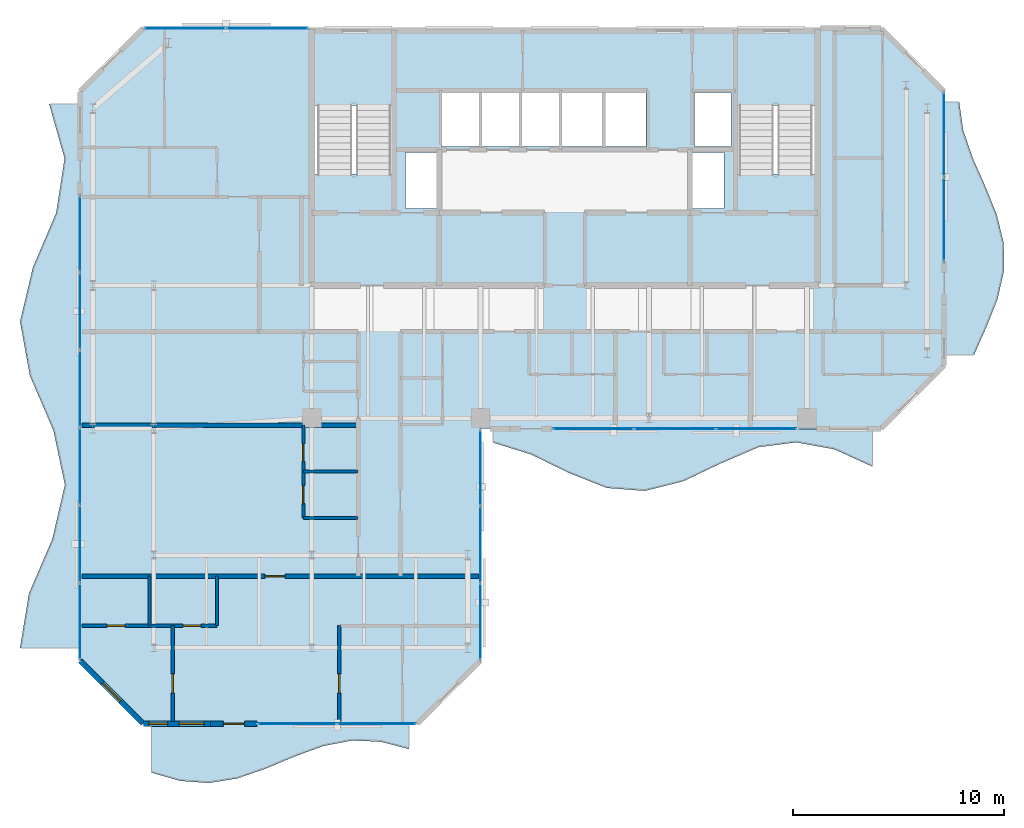
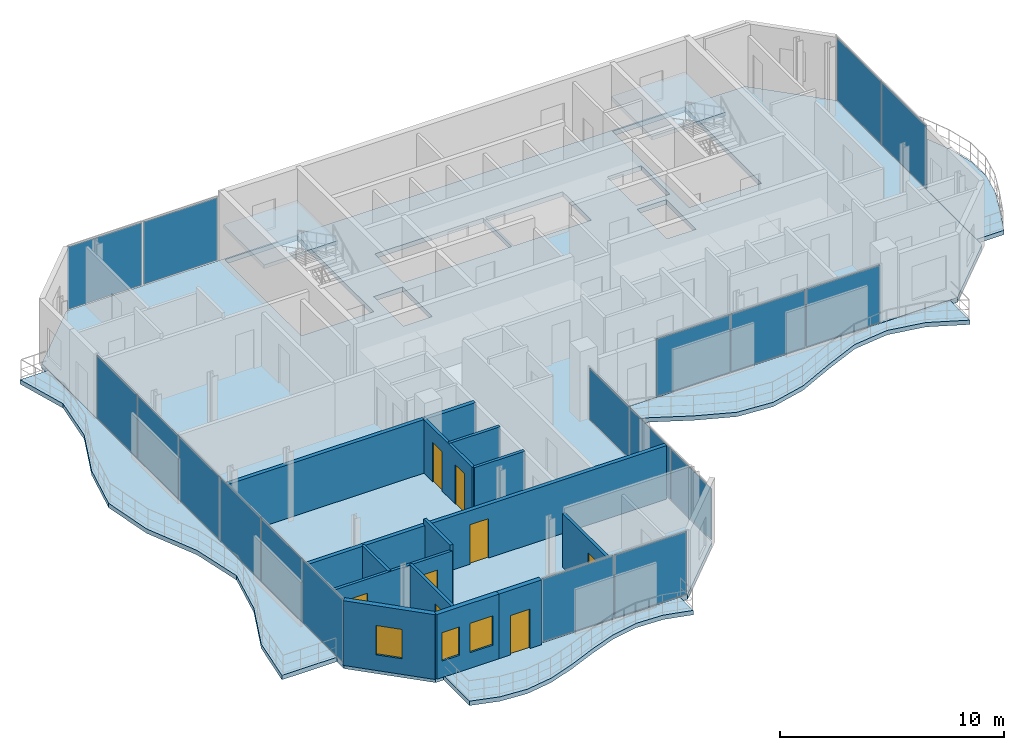
# One storey, part 17 of 22: 18 plates, 13 walls, 8 doors, 7 slabs, 3 windows, 11 openings, 8 elements without a shape of their own.
"""IFC4 building model written with IfcOpenShell, lengths in metres."""

from ifc_helpers import new_model, si_unit, direction, frame, frame_2d, origin, origin_2d, place, context, subcontext, project, spatial, polyline, rectangle, outline, extrude, material, layer, layer_set, type_object, element, fill, aggregate, save


model = new_model("IFC4")

# Units and contexts
model_context = context("Model", 3, precision=1e-05, world=origin(), true_north=direction((0.0, 1.0)))
body_context = subcontext(model_context, "Body", "Model", "MODEL_VIEW")
ifc_project = project(units=[si_unit("LENGTHUNIT", "METRE"), si_unit("AREAUNIT", "SQUARE_METRE"), si_unit("VOLUMEUNIT", "CUBIC_METRE"), si_unit("PLANEANGLEUNIT", "RADIAN"), si_unit("MASSUNIT", "GRAM", prefix="KILO")], contexts=[model_context])

# Site, building, storey
site_placement = place(None, origin())
site = spatial("IfcSite", under=ifc_project, at=site_placement, CompositionType="ELEMENT")
building_placement = place(site_placement, origin())
building = spatial("IfcBuilding", under=site, at=building_placement, Name="Catumbela Crestline Tower", CompositionType="ELEMENT")
storey_placement = place(building_placement, frame((0.0, 0.0, 229.8)))
storey = spatial("IfcBuildingStorey", under=building, at=storey_placement, Name="L59", CompositionType="ELEMENT", Elevation=229.8)

# Curtain wall, plates
ifc_material_1 = material(Name="Aluminium alloy AW-6060-T66", Category="aluminium")
ifc_layer_1 = layer(ifc_material_1, 0.18, Name="Aluminium alloy AW-6060-T66")
ifc_layer_set_1 = layer_set([ifc_layer_1], Name="Aluminium alloy AW-6060-T66")
curtain_wall_type = type_object("IfcCurtainWallType", Name="CWU-Z4", PredefinedType="USERDEFINED", material=ifc_layer_set_1)
curtain_wall_1_placement = place(storey_placement, origin())
curtain_wall_1 = element("IfcCurtainWall", 1, at=curtain_wall_1_placement, inside=storey, type_object=curtain_wall_type, Name="L59 Unitised Curtain Wall CW-L59-E0S2", ObjectType="UNITISED", PredefinedType="USERDEFINED")
ifc_material_2 = material(Name="Low-E laminated solar-control double glazing", Category="glass")
ifc_layer_2 = layer(ifc_material_2, 0.036, Name="Low-E laminated solar-control double glazing")
ifc_layer_set_2 = layer_set([ifc_layer_2], Name="Low-E laminated solar-control double glazing")
plate_type = type_object("IfcPlateType", Name="PNL-GLZ-Z4", PredefinedType="CURTAIN_PANEL", material=ifc_layer_set_2)
plate_1_placement = place(storey_placement, frame((15.3162, 10.0, 0.06), z_axis=(0.0, 0.0, 1.0), x_axis=(1.0, 0.0, 0.0)))
plate_1 = element("IfcPlate", 2, at=plate_1_placement, type_object=plate_type, Name="CWU-Z4 panel 1.1", PredefinedType="CURTAIN_PANEL", context=body_context, shape_type="SweptSolid", body=[
    extrude(rectangle(XDim=3.7025, YDim=0.034, at=origin_2d()), origin(), (0.0, 0.0, 1.0), 3.41),
])
plate_2_placement = place(storey_placement, frame((19.0837, 10.0, 0.06), z_axis=(0.0, 0.0, 1.0), x_axis=(1.0, 0.0, 0.0)))
plate_2 = element("IfcPlate", 3, at=plate_2_placement, type_object=plate_type, Name="CWU-Z4 panel 2.1", PredefinedType="CURTAIN_PANEL", context=body_context, shape_type="SweptSolid", body=[
    extrude(rectangle(XDim=3.7025, YDim=0.034, at=origin_2d()), origin(), (0.0, 0.0, 1.0), 3.41),
])
aggregate(curtain_wall_1, [plate_1, plate_2])

curtain_wall_2_placement = place(storey_placement, origin())
curtain_wall_2 = element("IfcCurtainWall", 4, at=curtain_wall_2_placement, inside=storey, type_object=curtain_wall_type, Name="L59 Unitised Curtain Wall CW-L59-E2S1", ObjectType="UNITISED", PredefinedType="USERDEFINED")
plate_3_placement = place(storey_placement, frame((24.0, 14.8496, 0.06), z_axis=(0.0, 0.0, 1.0), x_axis=(0.0, 1.0, 0.0)))
plate_3 = element("IfcPlate", 5, at=plate_3_placement, type_object=plate_type, Name="CWU-Z4 panel 1.1", PredefinedType="CURTAIN_PANEL", context=body_context, shape_type="SweptSolid", body=[
    extrude(rectangle(XDim=3.5692, YDim=0.034, at=origin_2d()), origin(), (0.0, 0.0, 1.0), 2.8),
])
plate_4_placement = place(storey_placement, frame((24.0, 18.5, 0.06), z_axis=(0.0, 0.0, 1.0), x_axis=(0.0, 1.0, 0.0)))
plate_4 = element("IfcPlate", 6, at=plate_4_placement, type_object=plate_type, Name="CWU-Z4 panel 2.1", PredefinedType="CURTAIN_PANEL", context=body_context, shape_type="SweptSolid", body=[
    extrude(rectangle(XDim=3.6017, YDim=0.034, at=origin_2d()), origin(), (0.0, 0.0, 1.0), 2.8),
])
plate_5_placement = place(storey_placement, frame((24.0, 22.1504, 0.06), z_axis=(0.0, 0.0, 1.0), x_axis=(0.0, 1.0, 0.0)))
plate_5 = element("IfcPlate", 7, at=plate_5_placement, type_object=plate_type, Name="CWU-Z4 panel 3.1", PredefinedType="CURTAIN_PANEL", context=body_context, shape_type="SweptSolid", body=[
    extrude(rectangle(XDim=3.5692, YDim=0.034, at=origin_2d()), origin(), (0.0, 0.0, 1.0), 2.8),
])
aggregate(curtain_wall_2, [plate_3, plate_4, plate_5])

curtain_wall_3_placement = place(storey_placement, origin())
curtain_wall_3 = element("IfcCurtainWall", 8, at=curtain_wall_3_placement, inside=storey, type_object=curtain_wall_type, Name="L59 Unitised Curtain Wall CW-L59-E3S2", ObjectType="UNITISED", PredefinedType="USERDEFINED")
plate_6_placement = place(storey_placement, frame((29.3579, 24.0, 0.06), z_axis=(0.0, 0.0, 1.0), x_axis=(1.0, 0.0, 0.0)))
plate_6 = element("IfcPlate", 9, at=plate_6_placement, type_object=plate_type, Name="CWU-Z4 panel 1.1", PredefinedType="CURTAIN_PANEL", context=body_context, shape_type="SweptSolid", body=[
    extrude(rectangle(XDim=3.7858, YDim=0.034, at=origin_2d()), origin(), (0.0, 0.0, 1.0), 3.12),
])
plate_7_placement = place(storey_placement, frame((33.225, 24.0, 0.06), z_axis=(0.0, 0.0, 1.0), x_axis=(1.0, 0.0, 0.0)))
plate_7 = element("IfcPlate", 10, at=plate_7_placement, type_object=plate_type, Name="CWU-Z4 panel 2.1", PredefinedType="CURTAIN_PANEL", context=body_context, shape_type="SweptSolid", body=[
    extrude(rectangle(XDim=3.8183, YDim=0.034, at=origin_2d()), origin(), (0.0, 0.0, 1.0), 3.12),
])
plate_8_placement = place(storey_placement, frame((37.0921, 24.0, 0.06), z_axis=(0.0, 0.0, 1.0), x_axis=(1.0, 0.0, 0.0)))
plate_8 = element("IfcPlate", 11, at=plate_8_placement, type_object=plate_type, Name="CWU-Z4 panel 3.1", PredefinedType="CURTAIN_PANEL", context=body_context, shape_type="SweptSolid", body=[
    extrude(rectangle(XDim=3.7858, YDim=0.034, at=origin_2d()), origin(), (0.0, 0.0, 1.0), 3.12),
])
aggregate(curtain_wall_3, [plate_6, plate_7, plate_8])

curtain_wall_4_placement = place(storey_placement, origin())
curtain_wall_4 = element("IfcCurtainWall", 12, at=curtain_wall_4_placement, inside=storey, type_object=curtain_wall_type, Name="L59 Unitised Curtain Wall CW-L59-E5S2", ObjectType="UNITISED", PredefinedType="USERDEFINED")
plate_9_placement = place(storey_placement, frame((46.0, 33.9412, 0.06), z_axis=(0.0, 0.0, 1.0), x_axis=(0.0, 1.0, 0.0)))
plate_9 = element("IfcPlate", 13, at=plate_9_placement, type_object=plate_type, Name="CWU-Z4 panel 1.1", PredefinedType="CURTAIN_PANEL", context=body_context, shape_type="SweptSolid", body=[
    extrude(rectangle(XDim=3.9525, YDim=0.034, at=origin_2d()), origin(), (0.0, 0.0, 1.0), 3.41),
])
plate_10_placement = place(storey_placement, frame((46.0, 37.9588, 0.06), z_axis=(0.0, 0.0, 1.0), x_axis=(0.0, 1.0, 0.0)))
plate_10 = element("IfcPlate", 14, at=plate_10_placement, type_object=plate_type, Name="CWU-Z4 panel 2.1", PredefinedType="CURTAIN_PANEL", context=body_context, shape_type="SweptSolid", body=[
    extrude(rectangle(XDim=3.9525, YDim=0.034, at=origin_2d()), origin(), (0.0, 0.0, 1.0), 3.41),
])
aggregate(curtain_wall_4, [plate_9, plate_10])

curtain_wall_5_placement = place(storey_placement, origin())
curtain_wall_5 = element("IfcCurtainWall", 15, at=curtain_wall_5_placement, inside=storey, type_object=curtain_wall_type, Name="L59 Unitised Curtain Wall CW-L59-E7S2", ObjectType="UNITISED", PredefinedType="USERDEFINED")
plate_11_placement = place(storey_placement, frame((13.8788, 43.0, 0.06), z_axis=(0.0, 0.0, 1.0), x_axis=(-1.0, 0.0, 0.0)))
plate_11 = element("IfcPlate", 16, at=plate_11_placement, type_object=plate_type, Name="CWU-Z4 panel 1.1", PredefinedType="CURTAIN_PANEL", context=body_context, shape_type="SweptSolid", body=[
    extrude(rectangle(XDim=3.8325, YDim=0.034, at=origin_2d()), origin(), (0.0, 0.0, 1.0), 3.41),
])
plate_12_placement = place(storey_placement, frame((9.9812, 43.0, 0.06), z_axis=(0.0, 0.0, 1.0), x_axis=(-1.0, 0.0, 0.0)))
plate_12 = element("IfcPlate", 17, at=plate_12_placement, type_object=plate_type, Name="CWU-Z4 panel 2.1", PredefinedType="CURTAIN_PANEL", context=body_context, shape_type="SweptSolid", body=[
    extrude(rectangle(XDim=3.8325, YDim=0.034, at=origin_2d()), origin(), (0.0, 0.0, 1.0), 3.41),
])
aggregate(curtain_wall_5, [plate_11, plate_12])

curtain_wall_6_placement = place(storey_placement, origin())
curtain_wall_6 = element("IfcCurtainWall", 18, at=curtain_wall_6_placement, inside=storey, type_object=curtain_wall_type, Name="L59 Unitised Curtain Wall CW-L59-E9S2", ObjectType="UNITISED", PredefinedType="USERDEFINED")
plate_13_placement = place(storey_placement, frame((5.0, 33.2421, 0.06), z_axis=(0.0, 0.0, 1.0), x_axis=(0.0, -1.0, 0.0)))
plate_13 = element("IfcPlate", 19, at=plate_13_placement, type_object=plate_type, Name="CWU-Z4 panel 1.1", PredefinedType="CURTAIN_PANEL", context=body_context, shape_type="SweptSolid", body=[
    extrude(rectangle(XDim=3.5858, YDim=0.034, at=origin_2d()), origin(), (0.0, 0.0, 1.0), 3.41),
])
plate_14_placement = place(storey_placement, frame((5.0, 29.575, 0.06), z_axis=(0.0, 0.0, 1.0), x_axis=(0.0, -1.0, 0.0)))
plate_14 = element("IfcPlate", 20, at=plate_14_placement, type_object=plate_type, Name="CWU-Z4 panel 2.1", PredefinedType="CURTAIN_PANEL", context=body_context, shape_type="SweptSolid", body=[
    extrude(rectangle(XDim=3.6183, YDim=0.034, at=origin_2d()), origin(), (0.0, 0.0, 1.0), 3.41),
])
plate_15_placement = place(storey_placement, frame((5.0, 25.8917, 0.06), z_axis=(0.0, 0.0, 1.0), x_axis=(0.0, -1.0, 0.0)))
plate_15 = element("IfcPlate", 21, at=plate_15_placement, type_object=plate_type, Name="CWU-Z4 panel 3.1", PredefinedType="CURTAIN_PANEL", context=body_context, shape_type="SweptSolid", body=[
    extrude(rectangle(XDim=3.6183, YDim=0.034, at=origin_2d()), origin(), (0.0, 0.0, 1.0), 3.41),
])
plate_16_placement = place(storey_placement, frame((5.0, 22.2083, 0.06), z_axis=(0.0, 0.0, 1.0), x_axis=(0.0, -1.0, 0.0)))
plate_16 = element("IfcPlate", 22, at=plate_16_placement, type_object=plate_type, Name="CWU-Z4 panel 4.1", PredefinedType="CURTAIN_PANEL", context=body_context, shape_type="SweptSolid", body=[
    extrude(rectangle(XDim=3.6183, YDim=0.034, at=origin_2d()), origin(), (0.0, 0.0, 1.0), 3.41),
])
plate_17_placement = place(storey_placement, frame((5.0, 18.525, 0.06), z_axis=(0.0, 0.0, 1.0), x_axis=(0.0, -1.0, 0.0)))
plate_17 = element("IfcPlate", 23, at=plate_17_placement, type_object=plate_type, Name="CWU-Z4 panel 5.1", PredefinedType="CURTAIN_PANEL", context=body_context, shape_type="SweptSolid", body=[
    extrude(rectangle(XDim=3.6183, YDim=0.034, at=origin_2d()), origin(), (0.0, 0.0, 1.0), 3.41),
])
plate_18_placement = place(storey_placement, frame((5.0, 14.8579, 0.06), z_axis=(0.0, 0.0, 1.0), x_axis=(0.0, -1.0, 0.0)))
plate_18 = element("IfcPlate", 24, at=plate_18_placement, type_object=plate_type, Name="CWU-Z4 panel 6.1", PredefinedType="CURTAIN_PANEL", context=body_context, shape_type="SweptSolid", body=[
    extrude(rectangle(XDim=3.5858, YDim=0.034, at=origin_2d()), origin(), (0.0, 0.0, 1.0), 3.41),
])
aggregate(curtain_wall_6, [plate_13, plate_14, plate_15, plate_16, plate_17, plate_18])

# Stair, slab
ifc_material_3 = material(Name="Concrete C45/55", Category="concrete")
stair_type = type_object("IfcStairType", Name="ST-DLG", PredefinedType="HALF_TURN_STAIR", material=ifc_material_3)
stair_1_placement = place(storey_placement, origin())
stair_1 = element("IfcStair", 25, at=stair_1_placement, inside=storey, type_object=stair_type, Name="L59 West Core Pressurised Exit Stair ST-01", PredefinedType="HALF_TURN_STAIR")
ifc_layer_3 = layer(ifc_material_3, 0.2, Name="Concrete C45/55")
ifc_layer_set_3 = layer_set([ifc_layer_3], Name="Concrete C45/55")
slab_type_1 = type_object("IfcSlabType", Name="SL-LND", PredefinedType="LANDING", material=ifc_layer_set_3)
slab_1_placement = place(storey_placement, frame((0.0, 0.0, 1.7)))
slab_1 = element("IfcSlab", 26, at=slab_1_placement, type_object=slab_type_1, Name="ST-01 landing 1", PredefinedType="LANDING", context=body_context, shape_type="SweptSolid", body=[
    extrude(outline(polyline([(19.91, 39.33), (19.91, 42.96), (16.09, 42.96), (16.09, 39.33), (19.91, 39.33)])), origin(), (0.0, 0.0, 1.0), 0.2),
])
aggregate(stair_1, [slab_1])

stair_2_placement = place(storey_placement, origin())
stair_2 = element("IfcStair", 27, at=stair_2_placement, inside=storey, type_object=stair_type, Name="L59 East Core Pressurised Exit Stair ST-02", PredefinedType="HALF_TURN_STAIR")
slab_2_placement = place(storey_placement, frame((0.0, 0.0, 1.7)))
slab_2 = element("IfcSlab", 28, at=slab_2_placement, type_object=slab_type_1, Name="ST-02 landing 1", PredefinedType="LANDING", context=body_context, shape_type="SweptSolid", body=[
    extrude(outline(polyline([(39.91, 39.33), (39.91, 42.96), (36.09, 42.96), (36.09, 39.33), (39.91, 39.33)])), origin(), (0.0, 0.0, 1.0), 0.2),
])
aggregate(stair_2, [slab_2])

# Slabs
ifc_layer_4 = layer(ifc_material_3, 0.26, Name="Concrete C45/55")
ifc_layer_set_4 = layer_set([ifc_layer_4], Name="Concrete C45/55")
slab_type_2 = type_object("IfcSlabType", Name="SL-260", PredefinedType="FLOOR", material=ifc_layer_set_4)
slab_3_placement = place(storey_placement, frame((0.0, 0.0, -0.26)))
element("IfcSlab", 29, at=slab_3_placement, inside=storey, type_object=slab_type_2, Name="L59 Structural Floor Slab", PredefinedType="FLOOR", context=body_context, shape_type="SweptSolid", body=[
    extrude(outline(polyline([(8.0, 10.0), (21.0, 10.0), (24.0, 13.0), (24.0, 24.0), (43.0, 24.0), (46.0, 27.0), (46.0, 40.0), (43.0, 43.0), (8.0, 43.0), (5.0, 40.0), (5.0, 13.0), (8.0, 10.0)]), holes=[polyline([(16.13, 36.08), (19.87, 36.08), (19.87, 42.92), (16.13, 42.92), (16.13, 36.08)]), polyline([(36.13, 36.08), (39.87, 36.08), (39.87, 42.92), (36.13, 42.92), (36.13, 36.08)]), polyline([(22.15, 37.4), (27.75, 37.4), (27.75, 39.95), (22.15, 39.95), (22.15, 37.4)]), polyline([(27.85, 37.4), (31.85, 37.4), (31.85, 39.95), (27.85, 39.95), (27.85, 37.4)]), polyline([(20.45, 34.45), (21.95, 34.45), (21.95, 37.1), (20.45, 37.1), (20.45, 34.45)]), polyline([(34.05, 34.45), (35.55, 34.45), (35.55, 37.1), (34.05, 37.1), (34.05, 34.45)]), polyline([(34.15, 37.4), (35.9, 37.4), (35.9, 39.95), (34.15, 39.95), (34.15, 37.4)])]), origin(), (0.0, 0.0, 1.0), 0.26),
])
ifc_layer_5 = layer(ifc_material_3, 0.24, Name="Concrete C45/55")
ifc_layer_set_5 = layer_set([ifc_layer_5], Name="Concrete C45/55")
slab_type_3 = type_object("IfcSlabType", Name="SB-240W", PredefinedType="USERDEFINED", material=ifc_layer_set_5)
slab_4_placement = place(storey_placement, frame((0.0, 0.0, -0.24)))
element("IfcSlab", 30, at=slab_4_placement, inside=storey, type_object=slab_type_3, Name="L59 Cantilevered Wave Balcony Slab SPINE-S", ObjectType="BALCONY", PredefinedType="USERDEFINED", context=body_context, shape_type="SweptSolid", body=[
    extrude(outline(polyline([(24.6, 23.3413), (26.4, 22.7781), (28.2, 21.9016), (30.0, 21.1868), (31.8, 21.05), (33.6, 21.4947), (35.4, 22.3504), (37.2, 23.1246), (39.0, 23.35), (40.8, 23.0215), (42.6, 22.2), (42.6, 23.99), (24.6, 23.99), (24.6, 23.3413)])), origin(), (0.0, 0.0, 1.0), 0.24),
])
slab_5_placement = place(storey_placement, frame((0.0, 0.0, -0.24)))
element("IfcSlab", 31, at=slab_5_placement, inside=storey, type_object=slab_type_3, Name="L59 Cantilevered Wave Balcony Slab SPINE-E", ObjectType="BALCONY", PredefinedType="USERDEFINED", context=body_context, shape_type="SweptSolid", body=[
    extrude(outline(polyline([(46.01, 27.5), (47.4229, 27.5), (48.0165, 28.8333), (48.5443, 30.1667), (48.8459, 31.5), (48.8296, 32.8333), (48.5005, 34.1667), (47.9584, 35.5), (47.3682, 36.8333), (46.9092, 38.1667), (46.721, 39.5), (46.01, 39.5), (46.01, 27.5)])), origin(), (0.0, 0.0, 1.0), 0.24),
])
slab_6_placement = place(storey_placement, frame((0.0, 0.0, -0.24)))
element("IfcSlab", 32, at=slab_6_placement, inside=storey, type_object=slab_type_3, Name="L59 Cantilevered Wave Balcony Slab WING-S", ObjectType="BALCONY", PredefinedType="USERDEFINED", context=body_context, shape_type="SweptSolid", body=[
    extrude(outline(polyline([(8.4, 7.6726), (9.7556, 7.2859), (11.1111, 7.186), (12.4667, 7.4043), (13.8222, 7.8724), (15.1778, 8.4433), (16.5333, 8.9378), (17.8889, 9.2008), (19.2444, 9.1497), (20.6, 8.8005), (20.6, 9.99), (8.4, 9.99), (8.4, 7.6726)])), origin(), (0.0, 0.0, 1.0), 0.24),
])
slab_7_placement = place(storey_placement, frame((0.0, 0.0, -0.24)))
element("IfcSlab", 33, at=slab_7_placement, inside=storey, type_object=slab_type_3, Name="L59 Cantilevered Wave Balcony Slab WEST", ObjectType="BALCONY", PredefinedType="USERDEFINED", context=body_context, shape_type="SweptSolid", body=[
    extrude(outline(polyline([(4.99, 39.4), (3.5356, 39.4), (4.2637, 36.82), (3.8658, 34.24), (2.7631, 31.66), (2.15, 29.08), (2.6229, 26.5), (3.7338, 23.92), (4.2796, 21.34), (3.6825, 18.76), (2.5747, 16.18), (2.15, 13.6), (4.99, 13.6), (4.99, 39.4)])), origin(), (0.0, 0.0, 1.0), 0.24),
])

# Wall, opening, door
ifc_material_4 = material(Name="Angolan grey-ochre granite", Category="masonry")
ifc_layer_6 = layer(ifc_material_4, 0.25, Name="Angolan grey-ochre granite")
ifc_layer_set_6 = layer_set([ifc_layer_6], Name="Angolan grey-ochre granite")
wall_type_1 = type_object("IfcWallType", Name="WE-250", PredefinedType="STANDARD", material=ifc_layer_set_6)
wall_1_placement = place(storey_placement, frame((11.2, 10.0, 0.0), z_axis=(0.0, 0.0, 1.0), x_axis=(1.0, 0.0, 0.0)))
wall_1 = element("IfcWall", 34, at=wall_1_placement, inside=storey, type_object=wall_type_1, Name="L59 Exterior Threshold Portal Wall DR-L59-WBAL-3", PredefinedType="STANDARD", context=body_context, shape_type="SweptSolid", body=[
    extrude(rectangle(XDim=2.2, YDim=0.25, at=frame_2d((1.1, 0.0))), origin(), (0.0, 0.0, 1.0), 3.53),
])
opening_1_placement = place(wall_1_placement, frame((0.6, 0.0, 0.0)))
opening_1 = element("IfcOpeningElement", 35, at=opening_1_placement, cuts=wall_1, Name="Opening DB-L59-3", PredefinedType="OPENING", context=body_context, shape_type="SweptSolid", body=[
    extrude(rectangle(XDim=1.0, YDim=2.15, at=frame_2d((0.5, 1.075))), frame((0.0, 0.135, 0.0), z_axis=(0.0, -1.0, 0.0), x_axis=(1.0, 0.0, 0.0)), (0.0, 0.0, 1.0), 0.27),
])
door_type_1 = type_object("IfcDoorType", Name="DB-1000", OperationType="NOTDEFINED", PredefinedType="DOOR", material=ifc_material_1)
door_1_placement = place(opening_1_placement, origin())
door_1 = element("IfcDoor", 36, at=door_1_placement, inside=storey, type_object=door_type_1, Name="L59 Wave Balcony Terrace Door 3", OperationType="SINGLE_SWING_LEFT", OverallHeight=2.15, OverallWidth=1.0, PredefinedType="DOOR", context=body_context, shape_type="SweptSolid", body=[
    extrude(rectangle(XDim=1.0, YDim=2.15, at=frame_2d((0.5, 1.075))), frame((0.0, 0.025, 0.0), z_axis=(0.0, -1.0, 0.0), x_axis=(1.0, 0.0, 0.0)), (0.0, 0.0, 1.0), 0.05),
])
fill(opening_1, door_1)

# Wall, openings, windows
wall_2_placement = place(storey_placement, frame((8.0, 10.0, 0.0), z_axis=(0.0, 0.0, 1.0), x_axis=(1.0, 0.0, 0.0)))
wall_2 = element("IfcWall", 37, at=wall_2_placement, inside=storey, type_object=wall_type_1, Name="L59 Granite Punched Window Wall 0-1", PredefinedType="STANDARD", context=body_context, shape_type="SweptSolid", body=[
    extrude(rectangle(XDim=3.2, YDim=0.25, at=frame_2d((1.6, 0.0))), origin(), (0.0, 0.0, 1.0), 3.53),
])
opening_2_placement = place(wall_2_placement, frame((0.26, 0.0, 0.9)))
opening_2 = element("IfcOpeningElement", 38, at=opening_2_placement, cuts=wall_2, Name="Opening WN-03", PredefinedType="OPENING", context=body_context, shape_type="SweptSolid", body=[
    extrude(rectangle(XDim=0.9, YDim=1.55, at=frame_2d((0.45, 0.775))), frame((0.0, 0.135, 0.0), z_axis=(0.0, -1.0, 0.0), x_axis=(1.0, 0.0, 0.0)), (0.0, 0.0, 1.0), 0.27),
])
opening_3_placement = place(wall_2_placement, frame((1.69, 0.0, 0.85)))
opening_3 = element("IfcOpeningElement", 39, at=opening_3_placement, cuts=wall_2, Name="Opening WN-02", PredefinedType="OPENING", context=body_context, shape_type="SweptSolid", body=[
    extrude(rectangle(XDim=1.2, YDim=1.6, at=frame_2d((0.6, 0.8))), frame((0.0, 0.135, 0.0), z_axis=(0.0, -1.0, 0.0), x_axis=(1.0, 0.0, 0.0)), (0.0, 0.0, 1.0), 0.27),
])
window_type_1 = type_object("IfcWindowType", Name="WO-0900", PartitioningType="SINGLE_PANEL", PredefinedType="WINDOW", material=ifc_material_2)
window_1_placement = place(opening_2_placement, origin())
window_1 = element("IfcWindow", 40, at=window_1_placement, inside=storey, type_object=window_type_1, Name="L59 Facade Vision Window 418", OverallHeight=1.55, OverallWidth=0.9, PartitioningType="SINGLE_PANEL", PredefinedType="WINDOW", context=body_context, shape_type="SweptSolid", body=[
    extrude(rectangle(XDim=0.9, YDim=1.55, at=frame_2d((0.45, 0.775))), frame((0.0, 0.03, 0.0), z_axis=(0.0, -1.0, 0.0), x_axis=(1.0, 0.0, 0.0)), (0.0, 0.0, 1.0), 0.06),
])
fill(opening_2, window_1)
window_type_2 = type_object("IfcWindowType", Name="WO-1200", PartitioningType="SINGLE_PANEL", PredefinedType="WINDOW", material=ifc_material_2)
window_2_placement = place(opening_3_placement, origin())
window_2 = element("IfcWindow", 41, at=window_2_placement, inside=storey, type_object=window_type_2, Name="L59 Facade Vision Window 419", OverallHeight=1.6, OverallWidth=1.2, PartitioningType="SINGLE_PANEL", PredefinedType="WINDOW", context=body_context, shape_type="SweptSolid", body=[
    extrude(rectangle(XDim=1.2, YDim=1.6, at=frame_2d((0.6, 0.8))), frame((0.0, 0.03, 0.0), z_axis=(0.0, -1.0, 0.0), x_axis=(1.0, 0.0, 0.0)), (0.0, 0.0, 1.0), 0.06),
])
fill(opening_3, window_2)

# Wall, opening, window
wall_3_placement = place(storey_placement, frame((5.0, 13.0, 0.0), z_axis=(0.0, 0.0, 1.0), x_axis=(0.707106781187, -0.707106781187, 0.0)))
wall_3 = element("IfcWall", 42, at=wall_3_placement, inside=storey, type_object=wall_type_1, Name="L59 Granite Punched Window Wall 10-1", PredefinedType="STANDARD", context=body_context, shape_type="SweptSolid", body=[
    extrude(rectangle(XDim=4.2426, YDim=0.25, at=frame_2d((2.1213, 0.0))), origin(), (0.0, 0.0, 1.0), 3.53),
])
opening_4_placement = place(wall_3_placement, frame((1.5213, 0.0, 0.85)))
opening_4 = element("IfcOpeningElement", 43, at=opening_4_placement, cuts=wall_3, Name="Opening WN-02", PredefinedType="OPENING", context=body_context, shape_type="SweptSolid", body=[
    extrude(rectangle(XDim=1.2, YDim=1.6, at=frame_2d((0.6, 0.8))), frame((0.0, 0.135, 0.0), z_axis=(0.0, -1.0, 0.0), x_axis=(1.0, 0.0, 0.0)), (0.0, 0.0, 1.0), 0.27),
])
window_3_placement = place(opening_4_placement, origin())
window_3 = element("IfcWindow", 44, at=window_3_placement, inside=storey, type_object=window_type_2, Name="L59 Facade Vision Window 428", OverallHeight=1.6, OverallWidth=1.2, PartitioningType="SINGLE_PANEL", PredefinedType="WINDOW", context=body_context, shape_type="SweptSolid", body=[
    extrude(rectangle(XDim=1.2, YDim=1.6, at=frame_2d((0.6, 0.8))), frame((0.0, 0.03, 0.0), z_axis=(0.0, -1.0, 0.0), x_axis=(1.0, 0.0, 0.0)), (0.0, 0.0, 1.0), 0.06),
])
fill(opening_4, window_3)

# Walls
ifc_material_5 = material(Name="Acoustic gypsum and mineral-wool partition")
ifc_layer_7 = layer(ifc_material_5, 0.15, Name="Acoustic gypsum and mineral-wool partition")
ifc_layer_set_7 = layer_set([ifc_layer_7], Name="Acoustic gypsum and mineral-wool partition")
wall_type_2 = type_object("IfcWallType", Name="WP-150", PredefinedType="PARTITIONING", material=ifc_layer_set_7)
for number, where, z_axis, x_axis, name in (
    (45, (15.6, 19.768, 0.0), (0.0, 0.0, 1.0), (1.0, 0.0, 0.0), "L59 Interior Partition PW-L59-WL2-KBS"),
    (46, (15.6, 21.968, 0.0), (0.0, 0.0, 1.0), (1.0, 0.0, 0.0), "L59 Interior Partition PW-L59-WL2-KBM"),
):
    element("IfcWall", number, at=place(storey_placement, frame(where, z_axis=z_axis, x_axis=x_axis)), inside=storey, type_object=wall_type_2, Name=name, PredefinedType="PARTITIONING", context=body_context, shape_type="SweptSolid", body=[
        extrude(rectangle(XDim=2.6, YDim=0.15, at=frame_2d((1.3, 0.0))), origin(), (0.0, 0.0, 1.0), 2.92),
    ])

# Wall, openings, doors
wall_4_placement = place(storey_placement, frame((15.6, 19.768, 0.0), z_axis=(0.0, 0.0, 1.0), x_axis=(0.0, 1.0, 0.0)))
wall_4 = element("IfcWall", 47, at=wall_4_placement, inside=storey, type_object=wall_type_2, Name="L59 Interior Partition PW-L59-WL2-SK1", PredefinedType="PARTITIONING", context=body_context, shape_type="SweptSolid", body=[
    extrude(rectangle(XDim=4.4, YDim=0.15, at=frame_2d((2.2, 0.0))), origin(), (0.0, 0.0, 1.0), 2.92),
])
opening_5_placement = place(wall_4_placement, frame((0.675, 0.0, 0.0)))
opening_5 = element("IfcOpeningElement", 48, at=opening_5_placement, cuts=wall_4, Name="Opening DI-085", PredefinedType="OPENING", context=body_context, shape_type="SweptSolid", body=[
    extrude(rectangle(XDim=0.85, YDim=2.15, at=frame_2d((0.425, 1.075))), frame((0.0, 0.085, 0.0), z_axis=(0.0, -1.0, 0.0), x_axis=(1.0, 0.0, 0.0)), (0.0, 0.0, 1.0), 0.17),
])
opening_6_placement = place(wall_4_placement, frame((2.6767, 0.0, 0.0)))
opening_6 = element("IfcOpeningElement", 49, at=opening_6_placement, cuts=wall_4, Name="Opening DI-085", PredefinedType="OPENING", context=body_context, shape_type="SweptSolid", body=[
    extrude(rectangle(XDim=0.85, YDim=2.15, at=frame_2d((0.425, 1.075))), frame((0.0, 0.085, 0.0), z_axis=(0.0, -1.0, 0.0), x_axis=(1.0, 0.0, 0.0)), (0.0, 0.0, 1.0), 0.17),
])
door_type_2 = type_object("IfcDoorType", Name="DI-085", OperationType="NOTDEFINED", PredefinedType="DOOR", material=ifc_material_1)
door_2_placement = place(opening_5_placement, origin())
door_2 = element("IfcDoor", 50, at=door_2_placement, inside=storey, type_object=door_type_2, Name="L59 Interior Door DR-L59-WL2-KIT", OperationType="SINGLE_SWING_LEFT", OverallHeight=2.15, OverallWidth=0.85, PredefinedType="DOOR", context=body_context, shape_type="SweptSolid", body=[
    extrude(rectangle(XDim=0.85, YDim=2.15, at=frame_2d((0.425, 1.075))), frame((0.0, 0.025, 0.0), z_axis=(0.0, -1.0, 0.0), x_axis=(1.0, 0.0, 0.0)), (0.0, 0.0, 1.0), 0.05),
])
fill(opening_5, door_2)
door_3_placement = place(opening_6_placement, origin())
door_3 = element("IfcDoor", 51, at=door_3_placement, inside=storey, type_object=door_type_2, Name="L59 Interior Door DR-L59-WL2-BTH", OperationType="SINGLE_SWING_RIGHT", OverallHeight=2.15, OverallWidth=0.85, PredefinedType="DOOR", context=body_context, shape_type="SweptSolid", body=[
    extrude(rectangle(XDim=0.85, YDim=2.15, at=frame_2d((0.425, 1.075))), frame((0.0, 0.025, 0.0), z_axis=(0.0, -1.0, 0.0), x_axis=(1.0, 0.0, 0.0)), (0.0, 0.0, 1.0), 0.05),
])
fill(opening_6, door_3)

# Walls
wall_5_placement = place(storey_placement, frame((11.5, 14.65, 0.0), z_axis=(0.0, 0.0, 1.0), x_axis=(0.0, 1.0, 0.0)))
element("IfcWall", 52, at=wall_5_placement, inside=storey, type_object=wall_type_2, Name="L59 Interior Partition PW-L59-SH1-KBE", PredefinedType="PARTITIONING", context=body_context, shape_type="SweptSolid", body=[
    extrude(rectangle(XDim=2.35, YDim=0.15, at=frame_2d((1.175, 0.0))), origin(), (0.0, 0.0, 1.0), 3.22),
])
wall_6_placement = place(storey_placement, frame((8.3, 14.65, 0.0), z_axis=(0.0, 0.0, 1.0), x_axis=(0.0, 1.0, 0.0)))
element("IfcWall", 53, at=wall_6_placement, inside=storey, type_object=wall_type_2, Name="L59 Interior Partition PW-L59-SH1-KBM", PredefinedType="PARTITIONING", context=body_context, shape_type="SweptSolid", body=[
    extrude(rectangle(XDim=2.35, YDim=0.15, at=frame_2d((1.175, 0.0))), origin(), (0.0, 0.0, 1.0), 2.92),
])

# Wall, openings, doors
wall_7_placement = place(storey_placement, frame((5.1, 14.65, 0.0), z_axis=(0.0, 0.0, 1.0), x_axis=(1.0, 0.0, 0.0)))
wall_7 = element("IfcWall", 54, at=wall_7_placement, inside=storey, type_object=wall_type_2, Name="L59 Interior Partition PW-L59-SH1-KBD1", PredefinedType="PARTITIONING", context=body_context, shape_type="SweptSolid", body=[
    extrude(rectangle(XDim=6.4, YDim=0.15, at=frame_2d((3.2, 0.0))), origin(), (0.0, 0.0, 1.0), 2.92),
])
opening_7_placement = place(wall_7_placement, frame((1.175, 0.0, 0.0)))
opening_7 = element("IfcOpeningElement", 55, at=opening_7_placement, cuts=wall_7, Name="Opening DI-085", PredefinedType="OPENING", context=body_context, shape_type="SweptSolid", body=[
    extrude(rectangle(XDim=0.85, YDim=2.15, at=frame_2d((0.425, 1.075))), frame((0.0, 0.085, 0.0), z_axis=(0.0, -1.0, 0.0), x_axis=(1.0, 0.0, 0.0)), (0.0, 0.0, 1.0), 0.17),
])
opening_8_placement = place(wall_7_placement, frame((4.7968, 0.0, 0.0)))
opening_8 = element("IfcOpeningElement", 56, at=opening_8_placement, cuts=wall_7, Name="Opening DI-085", PredefinedType="OPENING", context=body_context, shape_type="SweptSolid", body=[
    extrude(rectangle(XDim=0.85, YDim=2.15, at=frame_2d((0.425, 1.075))), frame((0.0, 0.085, 0.0), z_axis=(0.0, -1.0, 0.0), x_axis=(1.0, 0.0, 0.0)), (0.0, 0.0, 1.0), 0.17),
])
door_4_placement = place(opening_7_placement, origin())
door_4 = element("IfcDoor", 57, at=door_4_placement, inside=storey, type_object=door_type_2, Name="L59 Interior Door DR-L59-SH1-KIT", OperationType="SINGLE_SWING_LEFT", OverallHeight=2.15, OverallWidth=0.85, PredefinedType="DOOR", context=body_context, shape_type="SweptSolid", body=[
    extrude(rectangle(XDim=0.85, YDim=2.15, at=frame_2d((0.425, 1.075))), frame((0.0, 0.025, 0.0), z_axis=(0.0, -1.0, 0.0), x_axis=(1.0, 0.0, 0.0)), (0.0, 0.0, 1.0), 0.05),
])
fill(opening_7, door_4)
door_5_placement = place(opening_8_placement, origin())
door_5 = element("IfcDoor", 58, at=door_5_placement, inside=storey, type_object=door_type_2, Name="L59 Interior Door DR-L59-SH1-BTH", OperationType="SINGLE_SWING_RIGHT", OverallHeight=2.15, OverallWidth=0.85, PredefinedType="DOOR", context=body_context, shape_type="SweptSolid", body=[
    extrude(rectangle(XDim=0.85, YDim=2.15, at=frame_2d((0.425, 1.075))), frame((0.0, 0.025, 0.0), z_axis=(0.0, -1.0, 0.0), x_axis=(1.0, 0.0, 0.0)), (0.0, 0.0, 1.0), 0.05),
])
fill(opening_8, door_5)

# Wall, opening, door
wall_8_placement = place(storey_placement, frame((9.4, 10.1, 0.0), z_axis=(0.0, 0.0, 1.0), x_axis=(0.0, 1.0, 0.0)))
wall_8 = element("IfcWall", 59, at=wall_8_placement, inside=storey, type_object=wall_type_2, Name="L59 Interior Partition PW-L59-SH1-BDL", PredefinedType="PARTITIONING", context=body_context, shape_type="SweptSolid", body=[
    extrude(rectangle(XDim=4.55, YDim=0.15, at=frame_2d((2.275, 0.0))), origin(), (0.0, 0.0, 1.0), 2.92),
])
opening_9_placement = place(wall_8_placement, frame((1.3648, 0.0, 0.0)))
opening_9 = element("IfcOpeningElement", 60, at=opening_9_placement, cuts=wall_8, Name="Opening DI-090", PredefinedType="OPENING", context=body_context, shape_type="SweptSolid", body=[
    extrude(rectangle(XDim=0.9, YDim=2.15, at=frame_2d((0.45, 1.075))), frame((0.0, 0.085, 0.0), z_axis=(0.0, -1.0, 0.0), x_axis=(1.0, 0.0, 0.0)), (0.0, 0.0, 1.0), 0.17),
])
door_type_3 = type_object("IfcDoorType", Name="DI-090", OperationType="NOTDEFINED", PredefinedType="DOOR", material=ifc_material_1)
door_6_placement = place(opening_9_placement, origin())
door_6 = element("IfcDoor", 61, at=door_6_placement, inside=storey, type_object=door_type_3, Name="L59 Interior Door DR-L59-SH1-BD1", OperationType="SINGLE_SWING_LEFT", OverallHeight=2.15, OverallWidth=0.9, PredefinedType="DOOR", context=body_context, shape_type="SweptSolid", body=[
    extrude(rectangle(XDim=0.9, YDim=2.15, at=frame_2d((0.45, 1.075))), frame((0.0, 0.025, 0.0), z_axis=(0.0, -1.0, 0.0), x_axis=(1.0, 0.0, 0.0)), (0.0, 0.0, 1.0), 0.05),
])
fill(opening_9, door_6)

wall_9_placement = place(storey_placement, frame((17.3, 10.1, 0.0), z_axis=(0.0, 0.0, 1.0), x_axis=(0.0, 1.0, 0.0)))
wall_9 = element("IfcWall", 62, at=wall_9_placement, inside=storey, type_object=wall_type_2, Name="L59 Interior Partition PW-L59-SH1-STW", PredefinedType="PARTITIONING", context=body_context, shape_type="SweptSolid", body=[
    extrude(rectangle(XDim=4.55, YDim=0.15, at=frame_2d((2.275, 0.0))), origin(), (0.0, 0.0, 1.0), 2.92),
])
opening_10_placement = place(wall_9_placement, frame((1.3648, 0.0, 0.0)))
opening_10 = element("IfcOpeningElement", 63, at=opening_10_placement, cuts=wall_9, Name="Opening DI-090", PredefinedType="OPENING", context=body_context, shape_type="SweptSolid", body=[
    extrude(rectangle(XDim=0.9, YDim=2.15, at=frame_2d((0.45, 1.075))), frame((0.0, 0.085, 0.0), z_axis=(0.0, -1.0, 0.0), x_axis=(1.0, 0.0, 0.0)), (0.0, 0.0, 1.0), 0.17),
])
door_7_placement = place(opening_10_placement, origin())
door_7 = element("IfcDoor", 64, at=door_7_placement, inside=storey, type_object=door_type_3, Name="L59 Interior Door DR-L59-SH1-STDY", OperationType="SINGLE_SWING_LEFT", OverallHeight=2.15, OverallWidth=0.9, PredefinedType="DOOR", context=body_context, shape_type="SweptSolid", body=[
    extrude(rectangle(XDim=0.9, YDim=2.15, at=frame_2d((0.45, 1.075))), frame((0.0, 0.025, 0.0), z_axis=(0.0, -1.0, 0.0), x_axis=(1.0, 0.0, 0.0)), (0.0, 0.0, 1.0), 0.05),
])
fill(opening_10, door_7)

ifc_layer_8 = layer(ifc_material_5, 0.2, Name="Acoustic gypsum and mineral-wool partition")
ifc_layer_set_8 = layer_set([ifc_layer_8], Name="Acoustic gypsum and mineral-wool partition")
wall_type_3 = type_object("IfcWallType", Name="WY-200", PredefinedType="PARTITIONING", material=ifc_layer_set_8)
wall_10_placement = place(storey_placement, frame((5.1, 17.0, 0.0), z_axis=(0.0, 0.0, 1.0), x_axis=(1.0, 0.0, 0.0)))
wall_10 = element("IfcWall", 65, at=wall_10_placement, inside=storey, type_object=wall_type_3, Name="L59 Interior Partition PW-L59-SH-WL", PredefinedType="PARTITIONING", context=body_context, shape_type="SweptSolid", body=[
    extrude(rectangle(XDim=18.8, YDim=0.2, at=frame_2d((9.4, 0.0))), origin(), (0.0, 0.0, 1.0), 2.92),
])
opening_11_placement = place(wall_10_placement, frame((8.6685, 0.0, 0.0)))
opening_11 = element("IfcOpeningElement", 66, at=opening_11_placement, cuts=wall_10, Name="Opening DF6-095", PredefinedType="OPENING", context=body_context, shape_type="SweptSolid", body=[
    extrude(rectangle(XDim=0.95, YDim=2.15, at=frame_2d((0.475, 1.075))), frame((0.0, 0.11, 0.0), z_axis=(0.0, -1.0, 0.0), x_axis=(1.0, 0.0, 0.0)), (0.0, 0.0, 1.0), 0.22),
])
door_type_4 = type_object("IfcDoorType", Name="DF6-095", OperationType="NOTDEFINED", PredefinedType="DOOR", material=ifc_material_1)
door_8_placement = place(opening_11_placement, origin())
door_8 = element("IfcDoor", 67, at=door_8_placement, inside=storey, type_object=door_type_4, Name="L59 Interior Door DR-L59-SH1-ENT", OperationType="SINGLE_SWING_LEFT", OverallHeight=2.15, OverallWidth=0.95, PredefinedType="DOOR", context=body_context, shape_type="SweptSolid", body=[
    extrude(rectangle(XDim=0.95, YDim=2.15, at=frame_2d((0.475, 1.075))), frame((0.0, 0.025, 0.0), z_axis=(0.0, -1.0, 0.0), x_axis=(1.0, 0.0, 0.0)), (0.0, 0.0, 1.0), 0.05),
])
fill(opening_11, door_8)

# Wall
wall_11_placement = place(storey_placement, frame((5.1, 24.168, 0.0), z_axis=(0.0, 0.0, 1.0), x_axis=(1.0, 0.0, 0.0)))
element("IfcWall", 68, at=wall_11_placement, inside=storey, type_object=wall_type_3, Name="L59 Interior Partition PW-L59-RWLP", PredefinedType="PARTITIONING", context=body_context, shape_type="SweptSolid", body=[
    extrude(rectangle(XDim=13.1, YDim=0.2, at=frame_2d((6.55, 0.0))), origin(), (0.0, 0.0, 1.0), 2.92),
])

save(model, "model.ifc")
